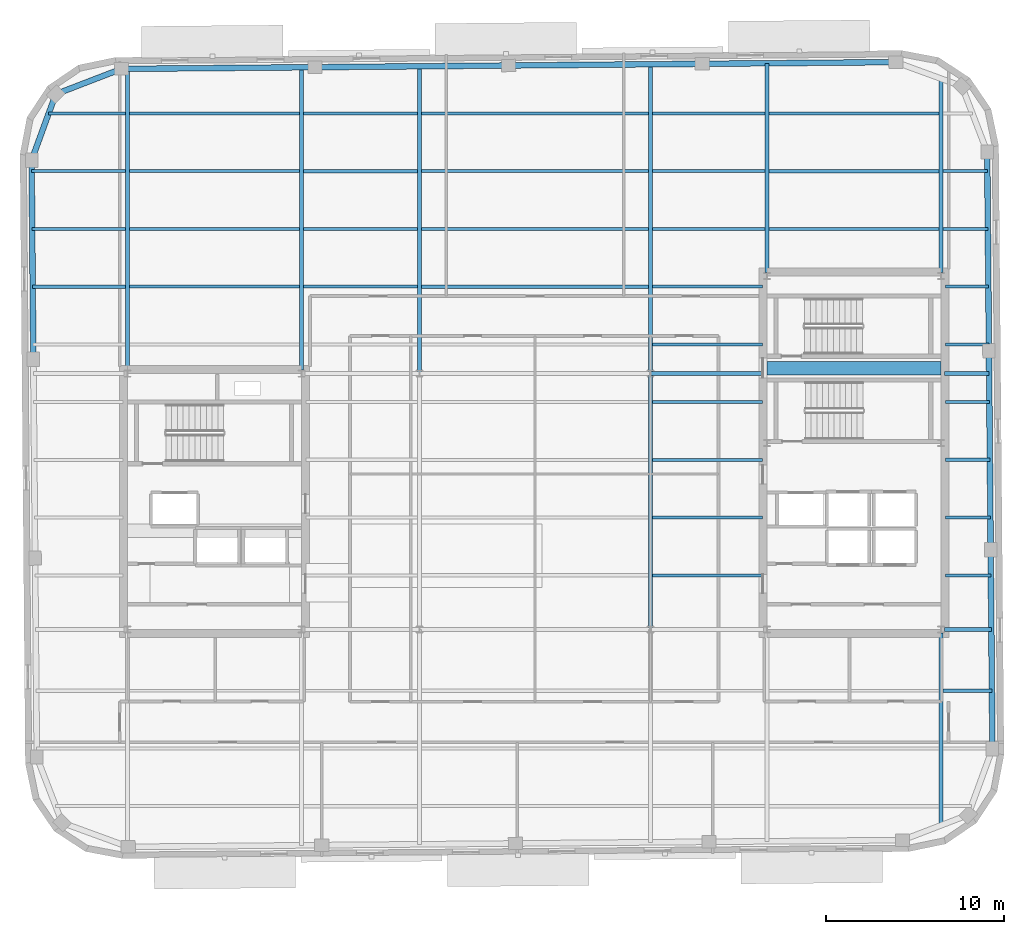
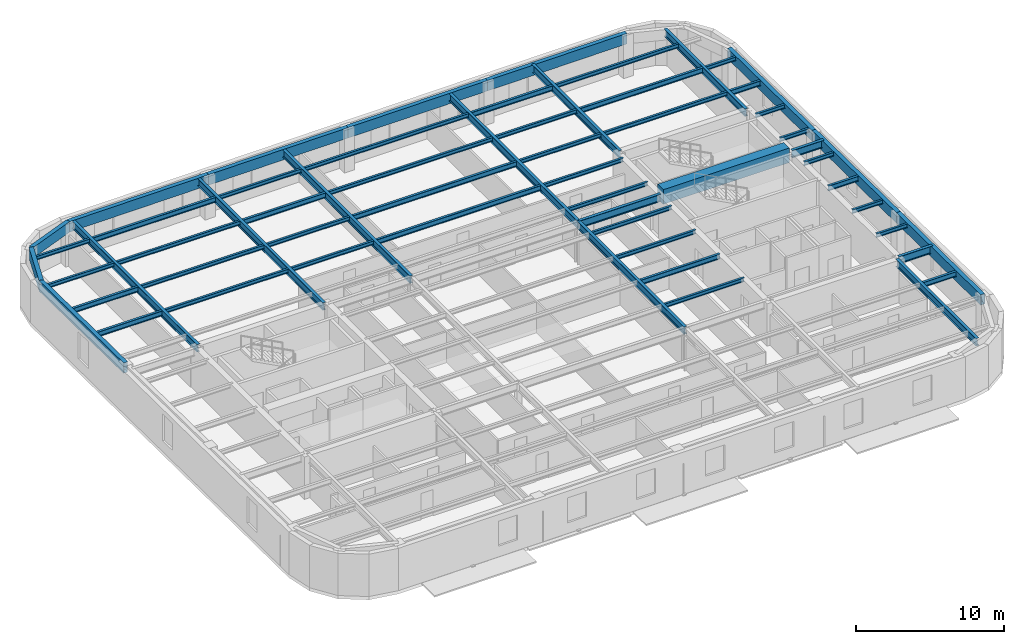
# One storey, part 5 of 14: 59 beams.
"""IFC4 building model written with IfcOpenShell, lengths in metres."""

from ifc_helpers import new_model, si_unit, direction, frame, origin, origin_2d, place, context, subcontext, project, spatial, rectangle, hollow_rectangle, i_section, extrude, material, material_profile, profile_set, type_object, element, save


model = new_model("IFC4")

# Units and contexts
model_context = context("Model", 3, precision=1e-05, world=origin(), true_north=direction((0.0, 1.0)))
body_context = subcontext(model_context, "Body", "Model", "MODEL_VIEW")
ifc_project = project(units=[si_unit("LENGTHUNIT", "METRE"), si_unit("AREAUNIT", "SQUARE_METRE"), si_unit("VOLUMEUNIT", "CUBIC_METRE"), si_unit("PLANEANGLEUNIT", "RADIAN"), si_unit("MASSUNIT", "GRAM", prefix="KILO")], contexts=[model_context])

# Site, building, storey
site_placement = place(None, origin())
site = spatial("IfcSite", under=ifc_project, at=site_placement, CompositionType="ELEMENT")
building_placement = place(site_placement, origin())
building = spatial("IfcBuilding", under=site, at=building_placement, Name="Kolvaren Arena Tower", CompositionType="ELEMENT")
storey_placement = place(building_placement, frame((0.0, 0.0, 289.89990234375)))
storey = spatial("IfcBuildingStorey", under=building, at=storey_placement, Name="L71", CompositionType="ELEMENT", Elevation=289.89990234375)

# Beams
ifc_material_1 = material(Name="Steel CSA G40.21 350W", Category="steel")
ifc_material_profile_1 = material_profile(ifc_material_1, i_section(OverallWidth=0.180908203125, OverallDepth=0.4169921875, WebThickness=0.010986328125, FlangeThickness=0.018310546875, FilletRadius=0.011962890625, at=origin_2d()), Name="W410x85")
ifc_profile_set_1 = profile_set([ifc_material_profile_1], Name="Steel CSA G40.21 350W")
beam_type_1 = type_object("IfcBeamType", Name="BEAM-F3", PredefinedType="BEAM", material=ifc_profile_set_1)
beam_1_placement = place(storey_placement, frame((60.464111328125, 16.0, 3.271484375), z_axis=(1.0, 0.0, 0.0), x_axis=(0.0, 1.0, 0.0)))
element("IfcBeam", 1, at=beam_1_placement, inside=storey, type_object=beam_type_1, Name="Composite Floor Beam (L71)", PredefinedType="BEAM", context=body_context, shape_type="SweptSolid", body=[
    extrude(i_section(OverallWidth=0.180908203125, OverallDepth=0.4169921875, WebThickness=0.010986328125, FlangeThickness=0.018310546875, FilletRadius=0.011962890625, at=origin_2d()), origin(), (0.0, 0.0, 1.0), 2.7529296875),
])
beam_2_placement = place(storey_placement, frame((44.114013671875, 25.75, 3.271484375), z_axis=(1.0, 0.0, 0.0), x_axis=(0.0, 1.0, 0.0)))
element("IfcBeam", 2, at=beam_2_placement, inside=storey, type_object=beam_type_1, Name="Composite Floor Beam (L71)", PredefinedType="BEAM", context=body_context, shape_type="SweptSolid", body=[
    extrude(i_section(OverallWidth=0.180908203125, OverallDepth=0.4169921875, WebThickness=0.010986328125, FlangeThickness=0.018310546875, FilletRadius=0.011962890625, at=origin_2d()), origin(), (0.0, 0.0, 1.0), 6.19091796875),
])
beam_3_placement = place(storey_placement, frame((60.594970703125, 29.0, 3.271484375), z_axis=(1.0, 0.0, 0.0), x_axis=(0.0, 1.0, 0.0)))
element("IfcBeam", 3, at=beam_3_placement, inside=storey, type_object=beam_type_1, Name="Composite Floor Beam (L71)", PredefinedType="BEAM", context=body_context, shape_type="SweptSolid", body=[
    extrude(i_section(OverallWidth=0.180908203125, OverallDepth=0.4169921875, WebThickness=0.010986328125, FlangeThickness=0.018310546875, FilletRadius=0.011962890625, at=origin_2d()), origin(), (0.0, 0.0, 1.0), 2.508544921875),
])
beam_4_placement = place(storey_placement, frame((9.216552734375, 38.75, 3.271484375), z_axis=(1.0, 0.0, 0.0), x_axis=(0.0, 1.0, 0.0)))
element("IfcBeam", 4, at=beam_4_placement, inside=storey, type_object=beam_type_1, Name="Composite Floor Beam (L71)", PredefinedType="BEAM", context=body_context, shape_type="SweptSolid", body=[
    extrude(i_section(OverallWidth=0.180908203125, OverallDepth=0.4169921875, WebThickness=0.010986328125, FlangeThickness=0.018310546875, FilletRadius=0.011962890625, at=origin_2d()), origin(), (0.0, 0.0, 1.0), 5.219482421875),
])
beam_5_placement = place(storey_placement, frame((31.114013671875, 38.75, 3.271484375), z_axis=(1.0, 0.0, 0.0), x_axis=(0.0, 1.0, 0.0)))
element("IfcBeam", 5, at=beam_5_placement, inside=storey, type_object=beam_type_1, Name="Composite Floor Beam (L71)", PredefinedType="BEAM", context=body_context, shape_type="SweptSolid", body=[
    extrude(i_section(OverallWidth=0.180908203125, OverallDepth=0.4169921875, WebThickness=0.010986328125, FlangeThickness=0.018310546875, FilletRadius=0.011962890625, at=origin_2d()), origin(), (0.0, 0.0, 1.0), 12.77197265625),
])
beam_6_placement = place(storey_placement, frame((9.18798828125, 42.0, 3.271484375), z_axis=(1.0, 0.0, 0.0), x_axis=(0.0, 1.0, 0.0)))
element("IfcBeam", 6, at=beam_6_placement, inside=storey, type_object=beam_type_1, Name="Composite Floor Beam (L71)", PredefinedType="BEAM", context=body_context, shape_type="SweptSolid", body=[
    extrude(i_section(OverallWidth=0.180908203125, OverallDepth=0.4169921875, WebThickness=0.010986328125, FlangeThickness=0.018310546875, FilletRadius=0.011962890625, at=origin_2d()), origin(), (0.0, 0.0, 1.0), 5.248046875),
])
beam_7_placement = place(storey_placement, frame((31.114013671875, 42.0, 3.271484375), z_axis=(1.0, 0.0, 0.0), x_axis=(0.0, 1.0, 0.0)))
element("IfcBeam", 7, at=beam_7_placement, inside=storey, type_object=beam_type_1, Name="Composite Floor Beam (L71)", PredefinedType="BEAM", context=body_context, shape_type="SweptSolid", body=[
    extrude(i_section(OverallWidth=0.180908203125, OverallDepth=0.4169921875, WebThickness=0.010986328125, FlangeThickness=0.018310546875, FilletRadius=0.011962890625, at=origin_2d()), origin(), (0.0, 0.0, 1.0), 12.77197265625),
])
beam_8_placement = place(storey_placement, frame((60.464111328125, 42.0, 3.271484375), z_axis=(1.0, 0.0, 0.0), x_axis=(0.0, 1.0, 0.0)))
element("IfcBeam", 8, at=beam_8_placement, inside=storey, type_object=beam_type_1, Name="Composite Floor Beam (L71)", PredefinedType="BEAM", context=body_context, shape_type="SweptSolid", body=[
    extrude(i_section(OverallWidth=0.180908203125, OverallDepth=0.4169921875, WebThickness=0.010986328125, FlangeThickness=0.018310546875, FilletRadius=0.011962890625, at=origin_2d()), origin(), (0.0, 0.0, 1.0), 2.526123046875),
])
beam_9_placement = place(storey_placement, frame((24.464111328125, 45.25, 3.271484375), z_axis=(1.0, 0.0, 0.0), x_axis=(0.0, 1.0, 0.0)))
element("IfcBeam", 9, at=beam_9_placement, inside=storey, type_object=beam_type_1, Name="Composite Floor Beam (L71)", PredefinedType="BEAM", context=body_context, shape_type="SweptSolid", body=[
    extrude(i_section(OverallWidth=0.180908203125, OverallDepth=0.4169921875, WebThickness=0.010986328125, FlangeThickness=0.018310546875, FilletRadius=0.011962890625, at=origin_2d()), origin(), (0.0, 0.0, 1.0), 6.421875),
])
for number, where, z_axis, x_axis, name in (
    (10, (50.6640625, 45.25, 3.271484375), (1.0, 0.0, 0.0), (0.0, 1.0, 0.0), "Composite Floor Beam (L71)"),
    (11, (14.6640625, 48.5, 3.271484375), (1.0, 0.0, 0.0), (0.0, 1.0, 0.0), "Composite Floor Beam (L71)"),
):
    element("IfcBeam", number, at=place(storey_placement, frame(where, z_axis=z_axis, x_axis=x_axis)), inside=storey, type_object=beam_type_1, Name=name, PredefinedType="BEAM", context=body_context, shape_type="SweptSolid", body=[
        extrude(i_section(OverallWidth=0.180908203125, OverallDepth=0.4169921875, WebThickness=0.010986328125, FlangeThickness=0.018310546875, FilletRadius=0.011962890625, at=origin_2d()), origin(), (0.0, 0.0, 1.0), 9.572021484375),
    ])
beam_10_placement = place(storey_placement, frame((44.114013671875, 48.5, 3.271484375), z_axis=(1.0, 0.0, 0.0), x_axis=(0.0, 1.0, 0.0)))
element("IfcBeam", 12, at=beam_10_placement, inside=storey, type_object=beam_type_1, Name="Composite Floor Beam (L71)", PredefinedType="BEAM", context=body_context, shape_type="SweptSolid", body=[
    extrude(i_section(OverallWidth=0.180908203125, OverallDepth=0.4169921875, WebThickness=0.010986328125, FlangeThickness=0.018310546875, FilletRadius=0.011962890625, at=origin_2d()), origin(), (0.0, 0.0, 1.0), 6.322021484375),
])
ifc_material_2 = material(Name="Concrete 60 MPa", Category="concrete")
ifc_material_profile_2 = material_profile(ifc_material_2, rectangle(XDim=0.75, YDim=1.199951171875, at=origin_2d()), Name="RC-750x1200")
ifc_profile_set_2 = profile_set([ifc_material_profile_2], Name="Concrete 60 MPa")
beam_type_2 = type_object("IfcBeamType", Name="CB-CORE-2", PredefinedType="BEAM", material=ifc_profile_set_2)
beam_11_placement = place(storey_placement, frame((50.550048828125, 34.14990234375, 3.150146484375), z_axis=(1.0, 0.0, 0.0), x_axis=(0.0, 1.0, 0.0)))
element("IfcBeam", 13, at=beam_11_placement, inside=storey, type_object=beam_type_2, Name="East Core Coupling Beam (L71)", PredefinedType="BEAM", context=body_context, shape_type="SweptSolid", body=[
    extrude(rectangle(XDim=0.75, YDim=1.199951171875, at=origin_2d()), origin(), (0.0, 0.0, 1.0), 9.800048828125),
])
ifc_material_profile_3 = material_profile(ifc_material_1, i_section(OverallWidth=0.22802734375, OverallDepth=0.615966796875, WebThickness=0.013916015625, FlangeThickness=0.02490234375, FilletRadius=0.014892578125, at=origin_2d()), Name="W610x174")
ifc_profile_set_3 = profile_set([ifc_material_profile_3], Name="Steel CSA G40.21 350W")
beam_type_3 = type_object("IfcBeamType", Name="GIRD-T3", PredefinedType="BEAM", material=ifc_profile_set_3)
beam_12_placement = place(storey_placement, frame((60.554931640625, 19.449951171875, 3.172119140625), z_axis=(1.0, 0.0, 0.0), x_axis=(0.0, 1.0, 0.0)))
element("IfcBeam", 14, at=beam_12_placement, inside=storey, type_object=beam_type_3, Name="Primary Floor Girder (L71)", PredefinedType="BEAM", context=body_context, shape_type="SweptSolid", body=[
    extrude(i_section(OverallWidth=0.22802734375, OverallDepth=0.615966796875, WebThickness=0.013916015625, FlangeThickness=0.02490234375, FilletRadius=0.014892578125, at=origin_2d()), origin(), (0.0, 0.0, 1.0), 2.632080078125),
])
beam_13_placement = place(storey_placement, frame((44.0, 33.85009765625, 3.172119140625), z_axis=(1.0, 0.0, 0.0), x_axis=(0.0, 1.0, 0.0)))
element("IfcBeam", 15, at=beam_13_placement, inside=storey, type_object=beam_type_3, Name="Primary Floor Girder (L71)", PredefinedType="BEAM", context=body_context, shape_type="SweptSolid", body=[
    extrude(i_section(OverallWidth=0.22802734375, OverallDepth=0.615966796875, WebThickness=0.013916015625, FlangeThickness=0.02490234375, FilletRadius=0.014892578125, at=origin_2d()), origin(), (0.0, 0.0, 1.0), 6.344970703125),
])
beam_14_placement = place(storey_placement, frame((60.554931640625, 33.85009765625, 3.172119140625), z_axis=(1.0, 0.0, 0.0), x_axis=(0.0, 1.0, 0.0)))
element("IfcBeam", 16, at=beam_14_placement, inside=storey, type_object=beam_type_3, Name="Primary Floor Girder (L71)", PredefinedType="BEAM", context=body_context, shape_type="SweptSolid", body=[
    extrude(i_section(OverallWidth=0.22802734375, OverallDepth=0.615966796875, WebThickness=0.013916015625, FlangeThickness=0.02490234375, FilletRadius=0.014892578125, at=origin_2d()), origin(), (0.0, 0.0, 1.0), 2.50634765625),
])
beam_15_placement = place(storey_placement, frame((14.550048828125, 34.054931640625, 3.172119140625), z_axis=(0.0, 1.0, 0.0), x_axis=(-1.0, 0.0, 0.0)))
element("IfcBeam", 17, at=beam_15_placement, inside=storey, type_object=beam_type_3, Name="Primary Floor Girder (L71)", PredefinedType="BEAM", context=body_context, shape_type="SweptSolid", body=[
    extrude(i_section(OverallWidth=0.22802734375, OverallDepth=0.615966796875, WebThickness=0.013916015625, FlangeThickness=0.02490234375, FilletRadius=0.014892578125, at=origin_2d()), origin(), (0.0, 0.0, 1.0), 16.95703125),
])
beam_16_placement = place(storey_placement, frame((24.35009765625, 34.054931640625, 3.172119140625), z_axis=(0.0, 1.0, 0.0), x_axis=(-1.0, 0.0, 0.0)))
element("IfcBeam", 18, at=beam_16_placement, inside=storey, type_object=beam_type_3, Name="Primary Floor Girder (L71)", PredefinedType="BEAM", context=body_context, shape_type="SweptSolid", body=[
    extrude(i_section(OverallWidth=0.22802734375, OverallDepth=0.615966796875, WebThickness=0.013916015625, FlangeThickness=0.02490234375, FilletRadius=0.014892578125, at=origin_2d()), origin(), (0.0, 0.0, 1.0), 17.04248046875),
])
beam_17_placement = place(storey_placement, frame((31.0, 33.85009765625, 3.172119140625), z_axis=(0.0, 1.0, 0.0), x_axis=(-1.0, 0.0, 0.0)))
element("IfcBeam", 19, at=beam_17_placement, inside=storey, type_object=beam_type_3, Name="Primary Floor Girder (L71)", PredefinedType="BEAM", context=body_context, shape_type="SweptSolid", body=[
    extrude(i_section(OverallWidth=0.22802734375, OverallDepth=0.615966796875, WebThickness=0.013916015625, FlangeThickness=0.02490234375, FilletRadius=0.014892578125, at=origin_2d()), origin(), (0.0, 0.0, 1.0), 17.305419921875),
])
beam_18_placement = place(storey_placement, frame((44.0, 19.449951171875, 3.172119140625), z_axis=(0.0, 1.0, 0.0), x_axis=(-1.0, 0.0, 0.0)))
element("IfcBeam", 20, at=beam_18_placement, inside=storey, type_object=beam_type_3, Name="Primary Floor Girder (L71)", PredefinedType="BEAM", context=body_context, shape_type="SweptSolid", body=[
    extrude(i_section(OverallWidth=0.22802734375, OverallDepth=0.615966796875, WebThickness=0.013916015625, FlangeThickness=0.02490234375, FilletRadius=0.014892578125, at=origin_2d()), origin(), (0.0, 0.0, 1.0), 14.400146484375),
])
beam_19_placement = place(storey_placement, frame((44.0, 33.85009765625, 3.172119140625), z_axis=(0.0, 1.0, 0.0), x_axis=(-1.0, 0.0, 0.0)))
element("IfcBeam", 21, at=beam_19_placement, inside=storey, type_object=beam_type_3, Name="Primary Floor Girder (L71)", PredefinedType="BEAM", context=body_context, shape_type="SweptSolid", body=[
    extrude(i_section(OverallWidth=0.22802734375, OverallDepth=0.615966796875, WebThickness=0.013916015625, FlangeThickness=0.02490234375, FilletRadius=0.014892578125, at=origin_2d()), origin(), (0.0, 0.0, 1.0), 17.418701171875),
])
beam_20_placement = place(storey_placement, frame((50.550048828125, 39.554931640625, 3.172119140625), z_axis=(0.0, 1.0, 0.0), x_axis=(-1.0, 0.0, 0.0)))
element("IfcBeam", 22, at=beam_20_placement, inside=storey, type_object=beam_type_3, Name="Primary Floor Girder (L71)", PredefinedType="BEAM", context=body_context, shape_type="SweptSolid", body=[
    extrude(i_section(OverallWidth=0.22802734375, OverallDepth=0.615966796875, WebThickness=0.013916015625, FlangeThickness=0.02490234375, FilletRadius=0.014892578125, at=origin_2d()), origin(), (0.0, 0.0, 1.0), 11.771240234375),
])
beam_21_placement = place(storey_placement, frame((60.35009765625, 8.4228515625, 3.172119140625), z_axis=(0.0, 1.0, 0.0), x_axis=(-1.0, 0.0, 0.0)))
element("IfcBeam", 23, at=beam_21_placement, inside=storey, type_object=beam_type_3, Name="Primary Floor Girder (L71)", PredefinedType="BEAM", context=body_context, shape_type="SweptSolid", body=[
    extrude(i_section(OverallWidth=0.22802734375, OverallDepth=0.615966796875, WebThickness=0.013916015625, FlangeThickness=0.02490234375, FilletRadius=0.014892578125, at=origin_2d()), origin(), (0.0, 0.0, 1.0), 10.822265625),
])
beam_22_placement = place(storey_placement, frame((60.35009765625, 39.554931640625, 3.172119140625), z_axis=(0.0, 1.0, 0.0), x_axis=(-1.0, 0.0, 0.0)))
element("IfcBeam", 24, at=beam_22_placement, inside=storey, type_object=beam_type_3, Name="Primary Floor Girder (L71)", PredefinedType="BEAM", context=body_context, shape_type="SweptSolid", body=[
    extrude(i_section(OverallWidth=0.22802734375, OverallDepth=0.615966796875, WebThickness=0.013916015625, FlangeThickness=0.02490234375, FilletRadius=0.014892578125, at=origin_2d()), origin(), (0.0, 0.0, 1.0), 10.90625),
])
ifc_material_profile_4 = material_profile(ifc_material_1, i_section(OverallWidth=0.1669921875, OverallDepth=0.31689453125, WebThickness=0.007568359375, FlangeThickness=0.01318359375, FilletRadius=0.010009765625, at=origin_2d()), Name="W310x52")
ifc_profile_set_4 = profile_set([ifc_material_profile_4], Name="Steel CSA G40.21 350W")
beam_type_4 = type_object("IfcBeamType", Name="JOIST-02", PredefinedType="JOIST", material=ifc_profile_set_4)
beam_23_placement = place(storey_placement, frame((44.114013671875, 22.5, 3.321533203125), z_axis=(1.0, 0.0, 0.0), x_axis=(0.0, 1.0, 0.0)))
element("IfcBeam", 25, at=beam_23_placement, inside=storey, type_object=beam_type_4, Name="Composite Floor Joist (L71)", PredefinedType="JOIST", context=body_context, shape_type="SweptSolid", body=[
    extrude(i_section(OverallWidth=0.1669921875, OverallDepth=0.31689453125, WebThickness=0.007568359375, FlangeThickness=0.01318359375, FilletRadius=0.010009765625, at=origin_2d()), origin(), (0.0, 0.0, 1.0), 6.19091796875),
])
beam_24_placement = place(storey_placement, frame((60.594970703125, 22.5, 3.321533203125), z_axis=(1.0, 0.0, 0.0), x_axis=(0.0, 1.0, 0.0)))
element("IfcBeam", 26, at=beam_24_placement, inside=storey, type_object=beam_type_4, Name="Composite Floor Joist (L71)", PredefinedType="JOIST", context=body_context, shape_type="SweptSolid", body=[
    extrude(i_section(OverallWidth=0.1669921875, OverallDepth=0.31689453125, WebThickness=0.007568359375, FlangeThickness=0.01318359375, FilletRadius=0.010009765625, at=origin_2d()), origin(), (0.0, 0.0, 1.0), 2.5654296875),
])
beam_25_placement = place(storey_placement, frame((60.594970703125, 25.75, 3.321533203125), z_axis=(1.0, 0.0, 0.0), x_axis=(0.0, 1.0, 0.0)))
element("IfcBeam", 27, at=beam_25_placement, inside=storey, type_object=beam_type_4, Name="Composite Floor Joist (L71)", PredefinedType="JOIST", context=body_context, shape_type="SweptSolid", body=[
    extrude(i_section(OverallWidth=0.1669921875, OverallDepth=0.31689453125, WebThickness=0.007568359375, FlangeThickness=0.01318359375, FilletRadius=0.010009765625, at=origin_2d()), origin(), (0.0, 0.0, 1.0), 2.537109375),
])
for number, where, z_axis, x_axis, name in (
    (28, (44.114013671875, 29.0, 3.321533203125), (1.0, 0.0, 0.0), (0.0, 1.0, 0.0), "Composite Floor Joist (L71)"),
    (29, (44.114013671875, 32.25, 3.321533203125), (1.0, 0.0, 0.0), (0.0, 1.0, 0.0), "Composite Floor Joist (L71)"),
):
    element("IfcBeam", number, at=place(storey_placement, frame(where, z_axis=z_axis, x_axis=x_axis)), inside=storey, type_object=beam_type_4, Name=name, PredefinedType="JOIST", context=body_context, shape_type="SweptSolid", body=[
        extrude(i_section(OverallWidth=0.1669921875, OverallDepth=0.31689453125, WebThickness=0.007568359375, FlangeThickness=0.01318359375, FilletRadius=0.010009765625, at=origin_2d()), origin(), (0.0, 0.0, 1.0), 6.19091796875),
    ])
beam_26_placement = place(storey_placement, frame((60.594970703125, 32.25, 3.321533203125), z_axis=(1.0, 0.0, 0.0), x_axis=(0.0, 1.0, 0.0)))
element("IfcBeam", 30, at=beam_26_placement, inside=storey, type_object=beam_type_4, Name="Composite Floor Joist (L71)", PredefinedType="JOIST", context=body_context, shape_type="SweptSolid", body=[
    extrude(i_section(OverallWidth=0.1669921875, OverallDepth=0.31689453125, WebThickness=0.007568359375, FlangeThickness=0.01318359375, FilletRadius=0.010009765625, at=origin_2d()), origin(), (0.0, 0.0, 1.0), 2.480224609375),
])
beam_27_placement = place(storey_placement, frame((44.114013671875, 35.5, 3.321533203125), z_axis=(1.0, 0.0, 0.0), x_axis=(0.0, 1.0, 0.0)))
element("IfcBeam", 31, at=beam_27_placement, inside=storey, type_object=beam_type_4, Name="Composite Floor Joist (L71)", PredefinedType="JOIST", context=body_context, shape_type="SweptSolid", body=[
    extrude(i_section(OverallWidth=0.1669921875, OverallDepth=0.31689453125, WebThickness=0.007568359375, FlangeThickness=0.01318359375, FilletRadius=0.010009765625, at=origin_2d()), origin(), (0.0, 0.0, 1.0), 6.19091796875),
])
beam_28_placement = place(storey_placement, frame((60.594970703125, 35.5, 3.321533203125), z_axis=(1.0, 0.0, 0.0), x_axis=(0.0, 1.0, 0.0)))
element("IfcBeam", 32, at=beam_28_placement, inside=storey, type_object=beam_type_4, Name="Composite Floor Joist (L71)", PredefinedType="JOIST", context=body_context, shape_type="SweptSolid", body=[
    extrude(i_section(OverallWidth=0.1669921875, OverallDepth=0.31689453125, WebThickness=0.007568359375, FlangeThickness=0.01318359375, FilletRadius=0.010009765625, at=origin_2d()), origin(), (0.0, 0.0, 1.0), 2.451904296875),
])
beam_29_placement = place(storey_placement, frame((14.6640625, 38.75, 3.321533203125), z_axis=(1.0, 0.0, 0.0), x_axis=(0.0, 1.0, 0.0)))
element("IfcBeam", 33, at=beam_29_placement, inside=storey, type_object=beam_type_4, Name="Composite Floor Joist (L71)", PredefinedType="JOIST", context=body_context, shape_type="SweptSolid", body=[
    extrude(i_section(OverallWidth=0.1669921875, OverallDepth=0.31689453125, WebThickness=0.007568359375, FlangeThickness=0.01318359375, FilletRadius=0.010009765625, at=origin_2d()), origin(), (0.0, 0.0, 1.0), 9.572021484375),
])
beam_30_placement = place(storey_placement, frame((24.464111328125, 38.75, 3.321533203125), z_axis=(1.0, 0.0, 0.0), x_axis=(0.0, 1.0, 0.0)))
element("IfcBeam", 34, at=beam_30_placement, inside=storey, type_object=beam_type_4, Name="Composite Floor Joist (L71)", PredefinedType="JOIST", context=body_context, shape_type="SweptSolid", body=[
    extrude(i_section(OverallWidth=0.1669921875, OverallDepth=0.31689453125, WebThickness=0.007568359375, FlangeThickness=0.01318359375, FilletRadius=0.010009765625, at=origin_2d()), origin(), (0.0, 0.0, 1.0), 6.421875),
])
beam_31_placement = place(storey_placement, frame((44.114013671875, 38.75, 3.321533203125), z_axis=(1.0, 0.0, 0.0), x_axis=(0.0, 1.0, 0.0)))
element("IfcBeam", 35, at=beam_31_placement, inside=storey, type_object=beam_type_4, Name="Composite Floor Joist (L71)", PredefinedType="JOIST", context=body_context, shape_type="SweptSolid", body=[
    extrude(i_section(OverallWidth=0.1669921875, OverallDepth=0.31689453125, WebThickness=0.007568359375, FlangeThickness=0.01318359375, FilletRadius=0.010009765625, at=origin_2d()), origin(), (0.0, 0.0, 1.0), 6.19091796875),
])
beam_32_placement = place(storey_placement, frame((60.594970703125, 38.75, 3.321533203125), z_axis=(1.0, 0.0, 0.0), x_axis=(0.0, 1.0, 0.0)))
element("IfcBeam", 36, at=beam_32_placement, inside=storey, type_object=beam_type_4, Name="Composite Floor Joist (L71)", PredefinedType="JOIST", context=body_context, shape_type="SweptSolid", body=[
    extrude(i_section(OverallWidth=0.1669921875, OverallDepth=0.31689453125, WebThickness=0.007568359375, FlangeThickness=0.01318359375, FilletRadius=0.010009765625, at=origin_2d()), origin(), (0.0, 0.0, 1.0), 2.423583984375),
])
beam_33_placement = place(storey_placement, frame((14.6640625, 42.0, 3.321533203125), z_axis=(1.0, 0.0, 0.0), x_axis=(0.0, 1.0, 0.0)))
element("IfcBeam", 37, at=beam_33_placement, inside=storey, type_object=beam_type_4, Name="Composite Floor Joist (L71)", PredefinedType="JOIST", context=body_context, shape_type="SweptSolid", body=[
    extrude(i_section(OverallWidth=0.1669921875, OverallDepth=0.31689453125, WebThickness=0.007568359375, FlangeThickness=0.01318359375, FilletRadius=0.010009765625, at=origin_2d()), origin(), (0.0, 0.0, 1.0), 9.572021484375),
])
beam_34_placement = place(storey_placement, frame((24.464111328125, 42.0, 3.321533203125), z_axis=(1.0, 0.0, 0.0), x_axis=(0.0, 1.0, 0.0)))
element("IfcBeam", 38, at=beam_34_placement, inside=storey, type_object=beam_type_4, Name="Composite Floor Joist (L71)", PredefinedType="JOIST", context=body_context, shape_type="SweptSolid", body=[
    extrude(i_section(OverallWidth=0.1669921875, OverallDepth=0.31689453125, WebThickness=0.007568359375, FlangeThickness=0.01318359375, FilletRadius=0.010009765625, at=origin_2d()), origin(), (0.0, 0.0, 1.0), 6.421875),
])
beam_35_placement = place(storey_placement, frame((44.114013671875, 42.0, 3.321533203125), z_axis=(1.0, 0.0, 0.0), x_axis=(0.0, 1.0, 0.0)))
element("IfcBeam", 39, at=beam_35_placement, inside=storey, type_object=beam_type_4, Name="Composite Floor Joist (L71)", PredefinedType="JOIST", context=body_context, shape_type="SweptSolid", body=[
    extrude(i_section(OverallWidth=0.1669921875, OverallDepth=0.31689453125, WebThickness=0.007568359375, FlangeThickness=0.01318359375, FilletRadius=0.010009765625, at=origin_2d()), origin(), (0.0, 0.0, 1.0), 6.322021484375),
])
beam_36_placement = place(storey_placement, frame((50.6640625, 42.0, 3.321533203125), z_axis=(1.0, 0.0, 0.0), x_axis=(0.0, 1.0, 0.0)))
element("IfcBeam", 40, at=beam_36_placement, inside=storey, type_object=beam_type_4, Name="Composite Floor Joist (L71)", PredefinedType="JOIST", context=body_context, shape_type="SweptSolid", body=[
    extrude(i_section(OverallWidth=0.1669921875, OverallDepth=0.31689453125, WebThickness=0.007568359375, FlangeThickness=0.01318359375, FilletRadius=0.010009765625, at=origin_2d()), origin(), (0.0, 0.0, 1.0), 9.572021484375),
])
beam_37_placement = place(storey_placement, frame((9.159912109375, 45.25, 3.321533203125), z_axis=(1.0, 0.0, 0.0), x_axis=(0.0, 1.0, 0.0)))
element("IfcBeam", 41, at=beam_37_placement, inside=storey, type_object=beam_type_4, Name="Composite Floor Joist (L71)", PredefinedType="JOIST", context=body_context, shape_type="SweptSolid", body=[
    extrude(i_section(OverallWidth=0.1669921875, OverallDepth=0.31689453125, WebThickness=0.007568359375, FlangeThickness=0.01318359375, FilletRadius=0.010009765625, at=origin_2d()), origin(), (0.0, 0.0, 1.0), 5.276123046875),
])
beam_38_placement = place(storey_placement, frame((14.6640625, 45.25, 3.321533203125), z_axis=(1.0, 0.0, 0.0), x_axis=(0.0, 1.0, 0.0)))
element("IfcBeam", 42, at=beam_38_placement, inside=storey, type_object=beam_type_4, Name="Composite Floor Joist (L71)", PredefinedType="JOIST", context=body_context, shape_type="SweptSolid", body=[
    extrude(i_section(OverallWidth=0.1669921875, OverallDepth=0.31689453125, WebThickness=0.007568359375, FlangeThickness=0.01318359375, FilletRadius=0.010009765625, at=origin_2d()), origin(), (0.0, 0.0, 1.0), 9.572021484375),
])
beam_39_placement = place(storey_placement, frame((31.114013671875, 45.25, 3.321533203125), z_axis=(1.0, 0.0, 0.0), x_axis=(0.0, 1.0, 0.0)))
element("IfcBeam", 43, at=beam_39_placement, inside=storey, type_object=beam_type_4, Name="Composite Floor Joist (L71)", PredefinedType="JOIST", context=body_context, shape_type="SweptSolid", body=[
    extrude(i_section(OverallWidth=0.1669921875, OverallDepth=0.31689453125, WebThickness=0.007568359375, FlangeThickness=0.01318359375, FilletRadius=0.010009765625, at=origin_2d()), origin(), (0.0, 0.0, 1.0), 12.77197265625),
])
beam_40_placement = place(storey_placement, frame((44.114013671875, 45.25, 3.321533203125), z_axis=(1.0, 0.0, 0.0), x_axis=(0.0, 1.0, 0.0)))
element("IfcBeam", 44, at=beam_40_placement, inside=storey, type_object=beam_type_4, Name="Composite Floor Joist (L71)", PredefinedType="JOIST", context=body_context, shape_type="SweptSolid", body=[
    extrude(i_section(OverallWidth=0.1669921875, OverallDepth=0.31689453125, WebThickness=0.007568359375, FlangeThickness=0.01318359375, FilletRadius=0.010009765625, at=origin_2d()), origin(), (0.0, 0.0, 1.0), 6.322021484375),
])
beam_41_placement = place(storey_placement, frame((60.464111328125, 45.25, 3.321533203125), z_axis=(1.0, 0.0, 0.0), x_axis=(0.0, 1.0, 0.0)))
element("IfcBeam", 45, at=beam_41_placement, inside=storey, type_object=beam_type_4, Name="Composite Floor Joist (L71)", PredefinedType="JOIST", context=body_context, shape_type="SweptSolid", body=[
    extrude(i_section(OverallWidth=0.1669921875, OverallDepth=0.31689453125, WebThickness=0.007568359375, FlangeThickness=0.01318359375, FilletRadius=0.010009765625, at=origin_2d()), origin(), (0.0, 0.0, 1.0), 2.497802734375),
])
beam_42_placement = place(storey_placement, frame((10.11669921875, 48.5, 3.321533203125), z_axis=(1.0, 0.0, 0.0), x_axis=(0.0, 1.0, 0.0)))
element("IfcBeam", 46, at=beam_42_placement, inside=storey, type_object=beam_type_4, Name="Composite Floor Joist (L71)", PredefinedType="JOIST", context=body_context, shape_type="SweptSolid", body=[
    extrude(i_section(OverallWidth=0.1669921875, OverallDepth=0.31689453125, WebThickness=0.007568359375, FlangeThickness=0.01318359375, FilletRadius=0.010009765625, at=origin_2d()), origin(), (0.0, 0.0, 1.0), 4.3193359375),
])
beam_43_placement = place(storey_placement, frame((24.464111328125, 48.5, 3.321533203125), z_axis=(1.0, 0.0, 0.0), x_axis=(0.0, 1.0, 0.0)))
element("IfcBeam", 47, at=beam_43_placement, inside=storey, type_object=beam_type_4, Name="Composite Floor Joist (L71)", PredefinedType="JOIST", context=body_context, shape_type="SweptSolid", body=[
    extrude(i_section(OverallWidth=0.1669921875, OverallDepth=0.31689453125, WebThickness=0.007568359375, FlangeThickness=0.01318359375, FilletRadius=0.010009765625, at=origin_2d()), origin(), (0.0, 0.0, 1.0), 6.421875),
])
beam_44_placement = place(storey_placement, frame((31.114013671875, 48.5, 3.321533203125), z_axis=(1.0, 0.0, 0.0), x_axis=(0.0, 1.0, 0.0)))
element("IfcBeam", 48, at=beam_44_placement, inside=storey, type_object=beam_type_4, Name="Composite Floor Joist (L71)", PredefinedType="JOIST", context=body_context, shape_type="SweptSolid", body=[
    extrude(i_section(OverallWidth=0.1669921875, OverallDepth=0.31689453125, WebThickness=0.007568359375, FlangeThickness=0.01318359375, FilletRadius=0.010009765625, at=origin_2d()), origin(), (0.0, 0.0, 1.0), 12.77197265625),
])
beam_45_placement = place(storey_placement, frame((50.6640625, 48.5, 3.321533203125), z_axis=(1.0, 0.0, 0.0), x_axis=(0.0, 1.0, 0.0)))
element("IfcBeam", 49, at=beam_45_placement, inside=storey, type_object=beam_type_4, Name="Composite Floor Joist (L71)", PredefinedType="JOIST", context=body_context, shape_type="SweptSolid", body=[
    extrude(i_section(OverallWidth=0.1669921875, OverallDepth=0.31689453125, WebThickness=0.007568359375, FlangeThickness=0.01318359375, FilletRadius=0.010009765625, at=origin_2d()), origin(), (0.0, 0.0, 1.0), 9.572021484375),
])
ifc_material_3 = material(Name="Steel CSA G40.21 350WT", Category="steel")
ifc_material_profile_5 = material_profile(ifc_material_3, hollow_rectangle(XDim=0.320068359375, YDim=0.860107421875, WallThickness=0.01806640625, at=origin_2d()), Name="HSS 860x320x18")
ifc_profile_set_5 = profile_set([ifc_material_profile_5], Name="Steel CSA G40.21 350WT")
beam_type_5 = type_object("IfcBeamType", Name="SPAND-02", PredefinedType="SPANDREL", material=ifc_profile_set_5)
beam_46_placement = place(storey_placement, frame((63.24560546875, 12.7353515625, 3.050048828125), z_axis=(-0.008741001013, 0.999961796721, 0.0), x_axis=(-0.999961796721, -0.008741001013, 0.0)))
element("IfcBeam", 50, at=beam_46_placement, inside=storey, type_object=beam_type_5, Name="Perimeter Spandrel Beam (L71)", PredefinedType="SPANDREL", context=body_context, shape_type="SweptSolid", body=[
    extrude(hollow_rectangle(XDim=0.320068359375, YDim=0.860107421875, WallThickness=0.01806640625, at=origin_2d()), origin(), (0.0, 0.0, 1.0), 11.2001953125),
])
for number, where, z_axis, x_axis, name in (
    (51, (63.147705078125, 23.93505859375, 3.050048828125), (-0.008719394723, 0.999961985355, 0.0), (-0.999961985355, -0.008719394723, 0.0), "Perimeter Spandrel Beam (L71)"),
    (52, (63.050048828125, 35.134521484375, 3.050048828125), (-0.008719394723, 0.999961985355, 0.0), (-0.999961985355, -0.008719394723, 0.0), "Perimeter Spandrel Beam (L71)"),
):
    element("IfcBeam", number, at=place(storey_placement, frame(where, z_axis=z_axis, x_axis=x_axis)), inside=storey, type_object=beam_type_5, Name=name, PredefinedType="SPANDREL", context=body_context, shape_type="SweptSolid", body=[
        extrude(hollow_rectangle(XDim=0.320068359375, YDim=0.860107421875, WallThickness=0.01806640625, at=origin_2d()), origin(), (0.0, 0.0, 1.0), 11.199951171875),
    ])
for number, where, z_axis, x_axis, name in (
    (53, (57.80810546875, 51.389404296875, 3.050048828125), (-0.999961846999, -0.008735247404, 0.0), (0.008735247404, -0.999961846999, 0.0), "Perimeter Spandrel Beam (L71)"),
    (54, (46.908447265625, 51.294189453125, 3.050048828125), (-0.999962042393, -0.008712851036, 0.0), (0.008712851036, -0.999962042393, 0.0), "Perimeter Spandrel Beam (L71)"),
):
    element("IfcBeam", number, at=place(storey_placement, frame(where, z_axis=z_axis, x_axis=x_axis)), inside=storey, type_object=beam_type_5, Name=name, PredefinedType="SPANDREL", context=body_context, shape_type="SweptSolid", body=[
        extrude(hollow_rectangle(XDim=0.320068359375, YDim=0.860107421875, WallThickness=0.01806640625, at=origin_2d()), origin(), (0.0, 0.0, 1.0), 10.900146484375),
    ])
beam_47_placement = place(storey_placement, frame((36.0087890625, 51.19921875, 3.050048828125), z_axis=(-0.999961845289, -0.008735443053, 0.0), x_axis=(0.008735443053, -0.999961845289, 0.0)))
element("IfcBeam", 55, at=beam_47_placement, inside=storey, type_object=beam_type_5, Name="Perimeter Spandrel Beam (L71)", PredefinedType="SPANDREL", context=body_context, shape_type="SweptSolid", body=[
    extrude(hollow_rectangle(XDim=0.320068359375, YDim=0.860107421875, WallThickness=0.01806640625, at=origin_2d()), origin(), (0.0, 0.0, 1.0), 10.89990234375),
])
beam_48_placement = place(storey_placement, frame((25.109375, 51.10400390625, 3.050048828125), z_axis=(-0.999961846999, -0.008735247404, 0.0), x_axis=(0.008735247404, -0.999961846999, 0.0)))
element("IfcBeam", 56, at=beam_48_placement, inside=storey, type_object=beam_type_5, Name="Perimeter Spandrel Beam (L71)", PredefinedType="SPANDREL", context=body_context, shape_type="SweptSolid", body=[
    extrude(hollow_rectangle(XDim=0.320068359375, YDim=0.860107421875, WallThickness=0.01806640625, at=origin_2d()), origin(), (0.0, 0.0, 1.0), 10.900146484375),
])
beam_49_placement = place(storey_placement, frame((14.209716796875, 51.0087890625, 3.050048828125), z_axis=(-0.933210515777, -0.359330117362, 0.0), x_axis=(0.359330117362, -0.933210515777, 0.0)))
element("IfcBeam", 57, at=beam_49_placement, inside=storey, type_object=beam_type_5, Name="Perimeter Spandrel Beam (L71)", PredefinedType="SPANDREL", context=body_context, shape_type="SweptSolid", body=[
    extrude(hollow_rectangle(XDim=0.320068359375, YDim=0.860107421875, WallThickness=0.01806640625, at=origin_2d()), origin(), (0.0, 0.0, 1.0), 3.961181640625),
])
beam_50_placement = place(storey_placement, frame((10.51318359375, 49.58544921875, 3.050048828125), z_axis=(-0.343039242335, -0.939321073019, 0.0), x_axis=(0.939321073019, -0.343039242335, 0.0)))
element("IfcBeam", 58, at=beam_50_placement, inside=storey, type_object=beam_type_5, Name="Perimeter Spandrel Beam (L71)", PredefinedType="SPANDREL", context=body_context, shape_type="SweptSolid", body=[
    extrude(hollow_rectangle(XDim=0.320068359375, YDim=0.860107421875, WallThickness=0.01806640625, at=origin_2d()), origin(), (0.0, 0.0, 1.0), 3.96142578125),
])
beam_51_placement = place(storey_placement, frame((9.154296875, 45.864501953125, 3.050048828125), z_axis=(0.008741191547, -0.999961795055, 0.0), x_axis=(0.999961795055, 0.008741191547, 0.0)))
element("IfcBeam", 59, at=beam_51_placement, inside=storey, type_object=beam_type_5, Name="Perimeter Spandrel Beam (L71)", PredefinedType="SPANDREL", context=body_context, shape_type="SweptSolid", body=[
    extrude(hollow_rectangle(XDim=0.320068359375, YDim=0.860107421875, WallThickness=0.01806640625, at=origin_2d()), origin(), (0.0, 0.0, 1.0), 11.199951171875),
])

save(model, "model.ifc")
